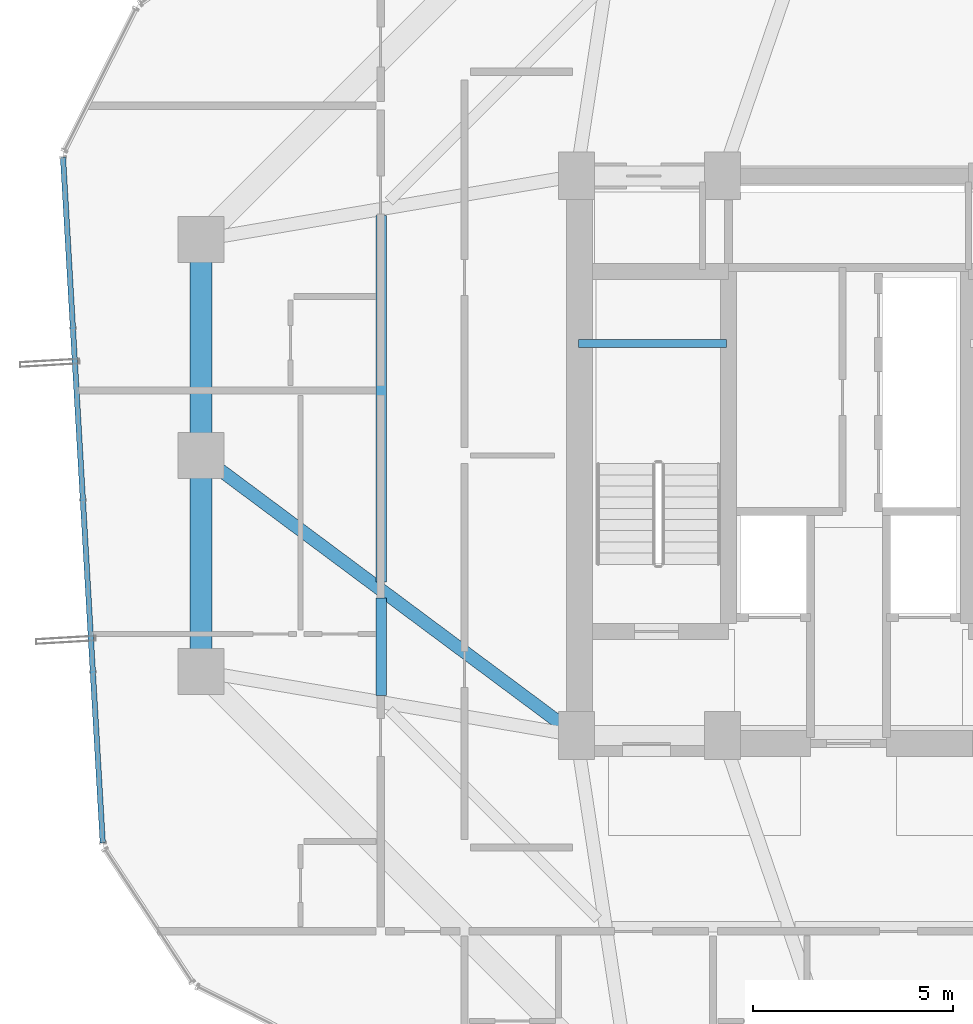
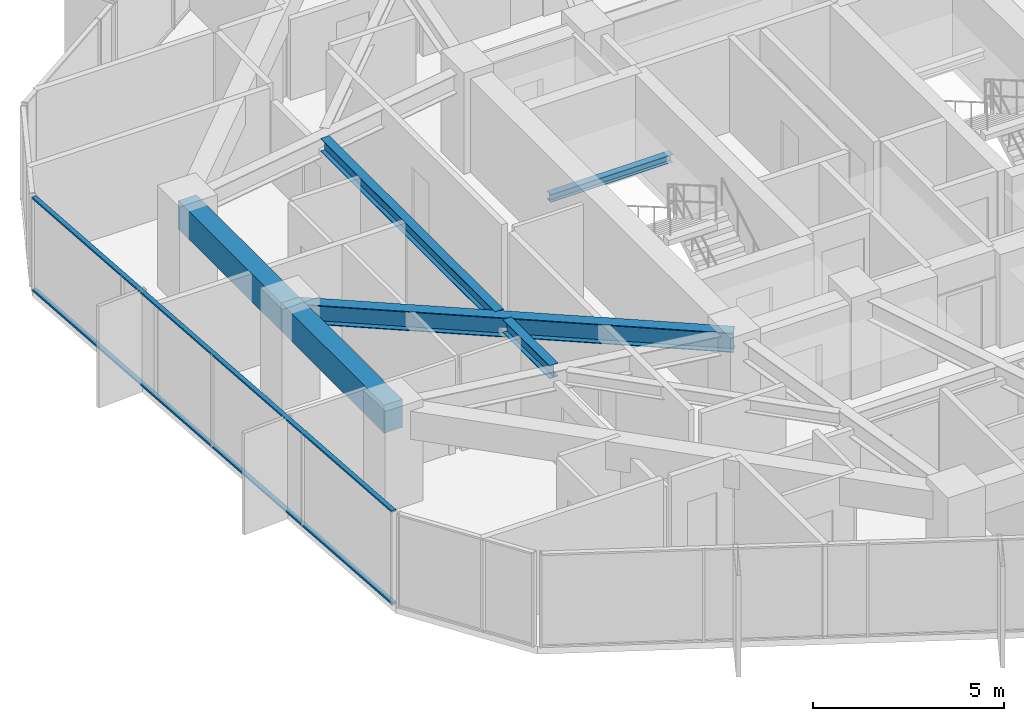
# One storey, part 11 of 33: 6 beams, 2 members, 1 element without a shape of its own.
"""IFC4 building model written with IfcOpenShell, lengths in metres."""

from ifc_helpers import new_model, si_unit, direction, frame, origin, origin_2d, place, context, subcontext, project, spatial, rectangle, hollow_rectangle, i_section, extrude, source, transform, mapped, material, layer, layer_set, material_profile, profile_set, type_object, element, aggregate, save


model = new_model("IFC4")

# Units and contexts
model_context = context("Model", 3, precision=1e-05, world=origin(), true_north=direction((0.0, 1.0)))
body_context = subcontext(model_context, "Body", "Model", "MODEL_VIEW")
ifc_project = project(units=[si_unit("LENGTHUNIT", "METRE"), si_unit("AREAUNIT", "SQUARE_METRE"), si_unit("VOLUMEUNIT", "CUBIC_METRE"), si_unit("PLANEANGLEUNIT", "RADIAN"), si_unit("MASSUNIT", "GRAM", prefix="KILO")], contexts=[model_context])

# Site, building, storey
site_placement = place(None, origin())
site = spatial("IfcSite", under=ifc_project, at=site_placement, CompositionType="ELEMENT")
building_placement = place(site_placement, origin())
building = spatial("IfcBuilding", under=site, at=building_placement, Name="Veraguas Prism Commons", CompositionType="ELEMENT")
storey_placement = place(building_placement, frame((0.0, 0.0, 139.25)))
storey = spatial("IfcBuildingStorey", under=building, at=storey_placement, Name="L39", CompositionType="ELEMENT", Elevation=139.25)

# Beams
ifc_material_1 = material(Name="Steel ASTM A992 Grade 50", Category="steel")
ifc_material_profile_1 = material_profile(ifc_material_1, i_section(OverallWidth=0.260986328125, OverallDepth=0.419921875, WebThickness=0.01171875, FlangeThickness=0.019287109375, at=origin_2d()), Name="W410X114")
ifc_profile_set_1 = profile_set([ifc_material_profile_1], Name="Steel ASTM A992 Grade 50")
beam_type_1 = type_object("IfcBeamType", Name="Lower Floor Joist W410x114", PredefinedType="JOIST", material=ifc_profile_set_1)
beam_1_placement = place(storey_placement, frame((12.31201171875, 30.003662109375, 2.7900390625), z_axis=(0.0, -1.0, 0.0), x_axis=(1.0, 0.0, 0.0)))
element("IfcBeam", 1, at=beam_1_placement, inside=storey, type_object=beam_type_1, Name="Composite Floor Joist L39-JS07", PredefinedType="JOIST", context=body_context, shape_type="SweptSolid", body=[
    extrude(i_section(OverallWidth=0.260986328125, OverallDepth=0.419921875, WebThickness=0.01171875, FlangeThickness=0.019287109375, at=origin_2d()), origin(), (0.0, 0.0, 1.0), 9.16162109375),
])
beam_2_placement = place(storey_placement, frame((12.31201171875, 20.43798828125, 2.7900390625), z_axis=(0.0, -1.0, 0.0), x_axis=(1.0, 0.0, 0.0)))
element("IfcBeam", 2, at=beam_2_placement, inside=storey, type_object=beam_type_1, Name="Composite Floor Joist L39-JS08", PredefinedType="JOIST", context=body_context, shape_type="SweptSolid", body=[
    extrude(i_section(OverallWidth=0.260986328125, OverallDepth=0.419921875, WebThickness=0.01171875, FlangeThickness=0.019287109375, at=origin_2d()), origin(), (0.0, 0.0, 1.0), 2.441650390625),
])
ifc_material_2 = material(Name="Concrete C50/60", Category="concrete")
ifc_material_profile_2 = material_profile(ifc_material_2, rectangle(XDim=0.550048828125, YDim=0.89990234375, at=origin_2d()), Name="RC550X900")
ifc_profile_set_2 = profile_set([ifc_material_profile_2], Name="Concrete C50/60")
beam_type_2 = type_object("IfcBeamType", Name="Perimeter Spandrel Lower RC 550x900", PredefinedType="SPANDREL", material=ifc_profile_set_2)
for number, where, z_axis, x_axis, name in (
    (3, (7.800048828125, 29.39990234375, 2.550048828125), (0.0, -1.0, 0.0), (1.0, 0.0, 0.0), "Perimeter Spandrel Beam L39-SP07"),
    (4, (7.800048828125, 24.0, 2.550048828125), (0.0, -1.0, 0.0), (1.0, 0.0, 0.0), "Perimeter Spandrel Beam L39-SP08"),
):
    element("IfcBeam", number, at=place(storey_placement, frame(where, z_axis=z_axis, x_axis=x_axis)), inside=storey, type_object=beam_type_2, Name=name, PredefinedType="SPANDREL", context=body_context, shape_type="SweptSolid", body=[
        extrude(rectangle(XDim=0.550048828125, YDim=0.89990234375, at=origin_2d()), origin(), (0.0, 0.0, 1.0), 5.39990234375),
    ])
ifc_material_profile_3 = material_profile(ifc_material_1, i_section(OverallWidth=0.202880859375, OverallDepth=0.251953125, WebThickness=0.008056640625, FlangeThickness=0.013427734375, at=origin_2d()), Name="W250X58")
ifc_profile_set_3 = profile_set([ifc_material_profile_3], Name="Steel ASTM A992 Grade 50")
beam_type_3 = type_object("IfcBeamType", Name="Structural Opening Lintel W250x58", PredefinedType="LINTEL", material=ifc_profile_set_3)
beam_3_placement = place(storey_placement, frame((17.25, 26.800048828125, 1.299072265625), z_axis=(1.0, 0.0, 0.0), x_axis=(0.0, 1.0, 0.0)))
element("IfcBeam", 5, at=beam_3_placement, inside=storey, type_object=beam_type_3, Name="Stair ST-01 Half-Landing Support Beam L39-1", PredefinedType="LINTEL", context=body_context, shape_type="SweptSolid", body=[
    extrude(i_section(OverallWidth=0.202880859375, OverallDepth=0.251953125, WebThickness=0.008056640625, FlangeThickness=0.013427734375, at=origin_2d()), origin(), (0.0, 0.0, 1.0), 3.699951171875),
])
ifc_material_profile_4 = material_profile(ifc_material_1, i_section(OverallWidth=0.327880859375, OverallDepth=0.6220703125, WebThickness=0.015380859375, FlangeThickness=0.0244140625, at=origin_2d()), Name="W610X195")
ifc_profile_set_4 = profile_set([ifc_material_profile_4], Name="Steel ASTM A992 Grade 50")
beam_type_4 = type_object("IfcBeamType", Name="Zone 2 Radial Girder W610x195", PredefinedType="BEAM", material=ifc_profile_set_4)
beam_4_placement = place(storey_placement, frame((7.800048828125, 24.0, 2.68896484375), z_axis=(0.802040137921, -0.597270137512, 0.0), x_axis=(0.597270137512, 0.802040137921, 0.0)))
element("IfcBeam", 6, at=beam_4_placement, inside=storey, type_object=beam_type_4, Name="Radial Floor Girder L39-RD08", PredefinedType="BEAM", context=body_context, shape_type="SweptSolid", body=[
    extrude(i_section(OverallWidth=0.327880859375, OverallDepth=0.6220703125, WebThickness=0.015380859375, FlangeThickness=0.0244140625, at=origin_2d()), origin(), (0.0, 0.0, 1.0), 11.719970703125),
])

# Curtain wall, members
ifc_material_3 = material(Name="Anodised aluminium EN AW-6063 T6", Category="aluminium")
ifc_layer = layer(ifc_material_3, 0.169921875, Name="Unitised Flush Curtain Wall Zone 2", Category="aluminium")
ifc_layer_set = layer_set([ifc_layer], Name="Anodised aluminium EN AW-6063 T6")
curtain_wall_type = type_object("IfcCurtainWallType", Name="Unitised Flush Curtain Wall Zone 2", PredefinedType="NOTDEFINED", material=ifc_layer_set)
curtain_wall_placement = place(storey_placement, origin())
curtain_wall = element("IfcCurtainWall", 7, at=curtain_wall_placement, inside=storey, type_object=curtain_wall_type, Name="Tower Facade Curtain Wall L39-F3", PredefinedType="NOTDEFINED")
ifc_material_profile_5 = material_profile(ifc_material_3, hollow_rectangle(XDim=0.054931640625, YDim=0.135009765625, WallThickness=0.0029296875, at=origin_2d()), Name="AL55X135X3")
ifc_profile_set_5 = profile_set([ifc_material_profile_5], Name="Anodised aluminium EN AW-6063 T6")
member_type = type_object("IfcMemberType", Name="Curtain Wall Transom Standard AL 55x135x3", PredefinedType="USERDEFINED", material=ifc_profile_set_5)
shared_shape = source(origin(), body_context, "Body", "SweptSolid", [
    extrude(hollow_rectangle(XDim=0.054931640625, YDim=0.135009765625, WallThickness=0.0029296875, at=origin_2d()), origin(), (0.0, 0.0, 1.0), 17.17431640625),
])
member_1_placement = place(storey_placement, frame((4.3525390625, 31.4619140625, 0.027587890625), z_axis=(0.057899515861, -0.998322415887, 0.0), x_axis=(0.0, 0.0, 1.0)))
member_1 = element("IfcMember", 8, at=member_1_placement, type_object=member_type, Name="CW-Z2 Transom 1", ObjectType="TRANSOM", PredefinedType="USERDEFINED", context=body_context, shape_type="MappedRepresentation", body=[
    mapped(shared_shape, transform((0.0, 0.0, 0.0), scale=1.0)),
])
member_2_placement = place(storey_placement, frame((4.3525390625, 31.4619140625, 2.972412109375), z_axis=(0.057899515861, -0.998322415887, 0.0), x_axis=(0.0, 0.0, 1.0)))
member_2 = element("IfcMember", 9, at=member_2_placement, type_object=member_type, Name="CW-Z2 Transom 2", ObjectType="TRANSOM", PredefinedType="USERDEFINED", context=body_context, shape_type="MappedRepresentation", body=[
    mapped(shared_shape, transform((0.0, 0.0, 0.0), scale=1.0)),
])
aggregate(curtain_wall, [member_1, member_2])

save(model, "model.ifc")
